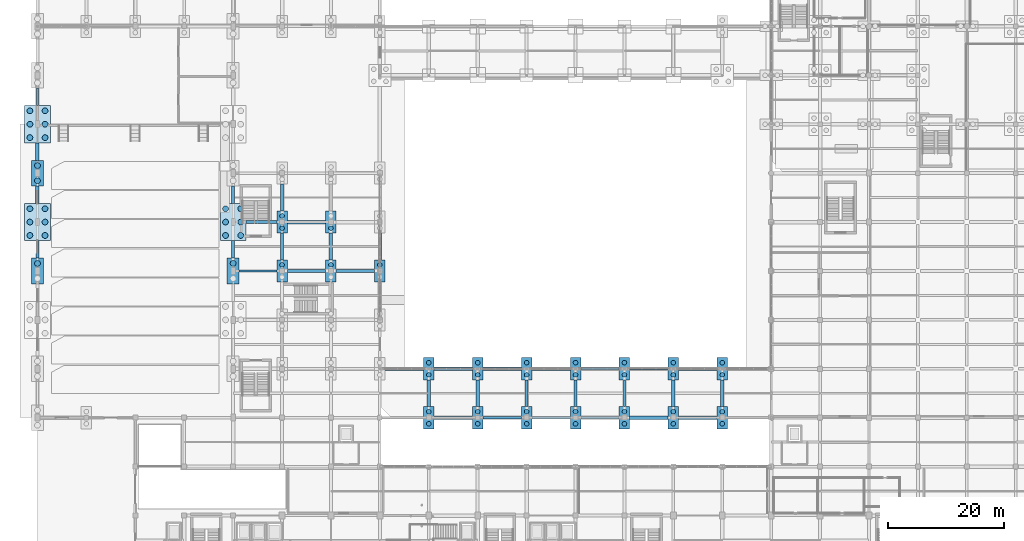
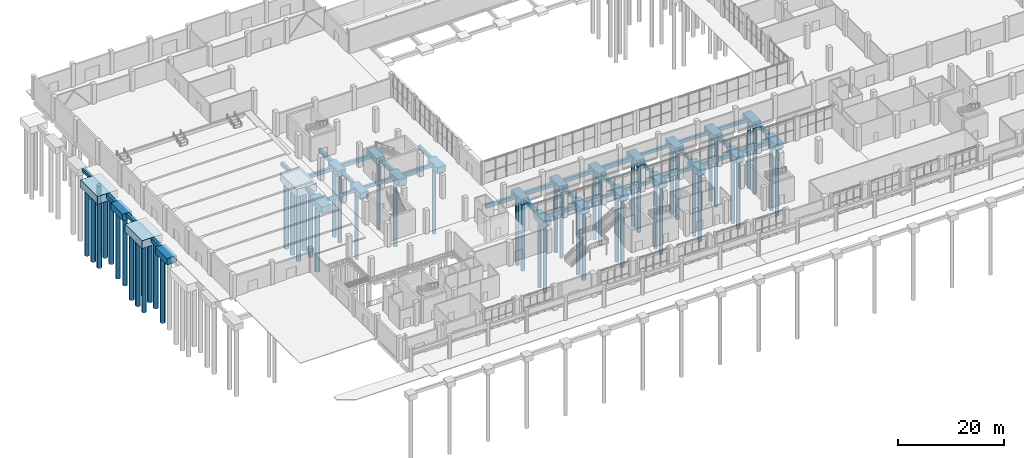
# One storey, part 2 of 82: 60 footings, 56 piles.
"""IFC4 building model written with IfcOpenShell, lengths in metres."""

from ifc_helpers import new_model, si_unit, derived_unit, direction, frame, origin, origin_2d, place, context, subcontext, project, spatial, polyline, rectangle, circle, outline, extrude, material, material_profile, profile_set, type_object, element, save


model = new_model("IFC4")

# Units and contexts
model_context = context("Model", 3, precision=1e-05, world=origin(), true_north=direction((0.0, 1.0)))
body_context = subcontext(model_context, "Body", "Model", "MODEL_VIEW")
ifc_project = project(units=[si_unit("LENGTHUNIT", "METRE"), si_unit("AREAUNIT", "SQUARE_METRE"), si_unit("VOLUMEUNIT", "CUBIC_METRE"), si_unit("PLANEANGLEUNIT", "RADIAN"), si_unit("MASSUNIT", "GRAM", prefix="KILO"), derived_unit("THERMALTRANSMITTANCEUNIT", [(si_unit("POWERUNIT", "WATT"), 1), (si_unit("LENGTHUNIT", "METRE"), -2), (si_unit("THERMODYNAMICTEMPERATUREUNIT", "KELVIN"), -1)])], contexts=[model_context])

# Site, building, storey
site_placement = place(None, origin())
site = spatial("IfcSite", under=ifc_project, at=site_placement, CompositionType="ELEMENT")
building_placement = place(site_placement, origin())
building = spatial("IfcBuilding", under=site, at=building_placement, Name="Barrovel Congress Hotel", CompositionType="ELEMENT")
storey_placement = place(building_placement, origin())
storey = spatial("IfcBuildingStorey", under=building, at=storey_placement, Name="L00", CompositionType="ELEMENT", Elevation=0.0)

# Footings
ifc_material_1 = material(Name="Concrete C40", Category="concrete")
footing_type_1 = type_object("IfcFootingType", Name="CAP-PC-04", PredefinedType="PILE_CAP", material=ifc_material_1)
for number, where, z_axis, x_axis, name in (
    (1, (42.0, 63.0, -6.260009765625), (0.0, 0.0, 1.0), (1.0, 0.0, 0.0), "CAP:L00:42.0:63.0"),
    (2, (42.0, 71.39990234375, -6.260009765625), (0.0, 0.0, 1.0), (1.0, 0.0, 0.0), "CAP:L00:42.0:71.4"),
    (3, (50.39990234375, 63.0, -6.260009765625), (0.0, 0.0, 1.0), (1.0, 0.0, 0.0), "CAP:L00:50.4:63.0"),
    (4, (50.39990234375, 71.39990234375, -6.260009765625), (0.0, 0.0, 1.0), (1.0, 0.0, 0.0), "CAP:L00:50.4:71.4"),
    (5, (58.800048828125, 63.0, -6.260009765625), (0.0, 0.0, 1.0), (1.0, 0.0, 0.0), "CAP:L00:58.8:63.0"),
    (6, (67.199951171875, 37.800048828125, -6.260009765625), (0.0, 0.0, 1.0), (1.0, 0.0, 0.0), "CAP:L00:67.2:37.8"),
    (7, (67.199951171875, 46.199951171875, -6.260009765625), (0.0, 0.0, 1.0), (1.0, 0.0, 0.0), "CAP:L00:67.2:46.2"),
    (8, (75.60009765625, 37.800048828125, -6.260009765625), (0.0, 0.0, 1.0), (1.0, 0.0, 0.0), "CAP:L00:75.6:37.8"),
    (9, (75.60009765625, 46.199951171875, -6.260009765625), (0.0, 0.0, 1.0), (1.0, 0.0, 0.0), "CAP:L00:75.6:46.2"),
    (10, (84.0, 37.800048828125, -6.260009765625), (0.0, 0.0, 1.0), (1.0, 0.0, 0.0), "CAP:L00:84.0:37.8"),
    (11, (84.0, 46.199951171875, -6.260009765625), (0.0, 0.0, 1.0), (1.0, 0.0, 0.0), "CAP:L00:84.0:46.2"),
    (12, (92.39990234375, 37.800048828125, -6.260009765625), (0.0, 0.0, 1.0), (1.0, 0.0, 0.0), "CAP:L00:92.4:37.8"),
    (13, (92.39990234375, 46.199951171875, -6.260009765625), (0.0, 0.0, 1.0), (1.0, 0.0, 0.0), "CAP:L00:92.4:46.2"),
    (14, (100.800048828125, 37.800048828125, -6.260009765625), (0.0, 0.0, 1.0), (1.0, 0.0, 0.0), "CAP:L00:100.8:37.8"),
    (15, (100.800048828125, 46.199951171875, -6.260009765625), (0.0, 0.0, 1.0), (1.0, 0.0, 0.0), "CAP:L00:100.8:46.2"),
    (16, (109.199951171875, 37.800048828125, -6.260009765625), (0.0, 0.0, 1.0), (1.0, 0.0, 0.0), "CAP:L00:109.2:37.8"),
    (17, (109.199951171875, 46.199951171875, -6.260009765625), (0.0, 0.0, 1.0), (1.0, 0.0, 0.0), "CAP:L00:109.2:46.2"),
    (18, (117.60009765625, 37.800048828125, -6.260009765625), (0.0, 0.0, 1.0), (1.0, 0.0, 0.0), "CAP:L00:117.6:37.8"),
    (19, (117.60009765625, 46.199951171875, -6.260009765625), (0.0, 0.0, 1.0), (1.0, 0.0, 0.0), "CAP:L00:117.6:46.2"),
):
    element("IfcFooting", number, at=place(storey_placement, frame(where, z_axis=z_axis, x_axis=x_axis)), inside=storey, type_object=footing_type_1, Name=name, PredefinedType="PILE_CAP", context=body_context, shape_type="SweptSolid", body=[
        extrude(rectangle(XDim=1.800048828125, YDim=3.800048828125, at=origin_2d()), origin(), (0.0, 0.0, 1.0), 1.39990234375),
    ])
footing_type_2 = type_object("IfcFootingType", Name="CAP-PC-06", PredefinedType="PILE_CAP", material=ifc_material_1)
for number, where, z_axis, x_axis, name in (
    (20, (0.0, 63.0, -6.360107421875), (0.0, 0.0, 1.0), (1.0, 0.0, 0.0), "CAP:L00:0.0:63.0"),
    (21, (0.0, 79.800048828125, -6.360107421875), (0.0, 0.0, 1.0), (1.0, 0.0, 0.0), "CAP:L00:0.0:79.8"),
    (22, (33.60009765625, 63.0, -6.360107421875), (0.0, 0.0, 1.0), (1.0, 0.0, 0.0), "CAP:L00:33.6:63.0"),
):
    element("IfcFooting", number, at=place(storey_placement, frame(where, z_axis=z_axis, x_axis=x_axis)), inside=storey, type_object=footing_type_2, Name=name, PredefinedType="PILE_CAP", context=body_context, shape_type="SweptSolid", body=[
        extrude(rectangle(XDim=2.10009765625, YDim=4.39990234375, at=origin_2d()), origin(), (0.0, 0.0, 1.0), 1.5),
    ])
footing_type_3 = type_object("IfcFootingType", Name="CAP-PC-13", PredefinedType="PILE_CAP", material=ifc_material_1)
for number, where, z_axis, x_axis, name in (
    (23, (0.0, 71.39990234375, -6.66015625), (0.0, 0.0, 1.0), (1.0, 0.0, 0.0), "CAP:L00:0.0:71.4"),
    (24, (0.0, 88.199951171875, -6.66015625), (0.0, 0.0, 1.0), (1.0, 0.0, 0.0), "CAP:L00:0.0:88.2"),
    (25, (33.60009765625, 71.39990234375, -6.66015625), (0.0, 0.0, 1.0), (1.0, 0.0, 0.0), "CAP:L00:33.6:71.4"),
):
    element("IfcFooting", number, at=place(storey_placement, frame(where, z_axis=z_axis, x_axis=x_axis)), inside=storey, type_object=footing_type_3, Name=name, PredefinedType="PILE_CAP", context=body_context, shape_type="SweptSolid", body=[
        extrude(rectangle(XDim=4.39990234375, YDim=6.39990234375, at=origin_2d()), origin(), (0.0, 0.0, 1.0), 1.800048828125),
    ])
footing_type_4 = type_object("IfcFootingType", Name="FB-400x700", PredefinedType="FOOTING_BEAM", material=ifc_material_1)
footing_1_placement = place(storey_placement, frame((0.0, 0.0, -5.56005859375)))
element("IfcFooting", 26, at=footing_1_placement, inside=storey, type_object=footing_type_4, Name="FBX:L00:37.8:75.6-84.0", PredefinedType="FOOTING_BEAM", context=body_context, shape_type="SweptSolid", body=[
    extrude(outline(polyline([(76.5, 37.60009765625), (83.10009765625, 37.60009765625), (83.10009765625, 38.0), (76.5, 38.0), (76.5, 37.60009765625)])), origin(), (0.0, 0.0, 1.0), 0.699951171875),
])
footing_2_placement = place(storey_placement, frame((0.0, 0.0, -5.56005859375)))
element("IfcFooting", 27, at=footing_2_placement, inside=storey, type_object=footing_type_4, Name="FBX:L00:46.2:92.4-100.8", PredefinedType="FOOTING_BEAM", context=body_context, shape_type="SweptSolid", body=[
    extrude(outline(polyline([(93.300048828125, 46.0), (99.89990234375, 46.0), (99.89990234375, 46.39990234375), (93.300048828125, 46.39990234375), (93.300048828125, 46.0)])), origin(), (0.0, 0.0, 1.0), 0.699951171875),
])
footing_3_placement = place(storey_placement, frame((0.0, 0.0, -5.56005859375)))
element("IfcFooting", 28, at=footing_3_placement, inside=storey, type_object=footing_type_4, Name="FBX:L00:63.0:33.6-42.0", PredefinedType="FOOTING_BEAM", context=body_context, shape_type="SweptSolid", body=[
    extrude(outline(polyline([(34.64990234375, 62.800048828125), (41.10009765625, 62.800048828125), (41.10009765625, 63.199951171875), (34.64990234375, 63.199951171875), (34.64990234375, 62.800048828125)])), origin(), (0.0, 0.0, 1.0), 0.699951171875),
])
footing_4_placement = place(storey_placement, frame((0.0, 0.0, -5.56005859375)))
element("IfcFooting", 29, at=footing_4_placement, inside=storey, type_object=footing_type_4, Name="FBY:L00:0.0:88.2-96.6", PredefinedType="FOOTING_BEAM", context=body_context, shape_type="SweptSolid", body=[
    extrude(outline(polyline([(-0.199951171875, 91.39990234375), (0.199951171875, 91.39990234375), (0.199951171875, 94.39990234375), (-0.199951171875, 94.39990234375), (-0.199951171875, 91.39990234375)])), origin(), (0.0, 0.0, 1.0), 0.699951171875),
])
footing_5_placement = place(storey_placement, frame((0.0, 0.0, -5.56005859375)))
element("IfcFooting", 30, at=footing_5_placement, inside=storey, type_object=footing_type_4, Name="FBY:L00:100.8:37.8-46.2", PredefinedType="FOOTING_BEAM", context=body_context, shape_type="SweptSolid", body=[
    extrude(outline(polyline([(100.60009765625, 39.699951171875), (101.0, 39.699951171875), (101.0, 44.300048828125), (100.60009765625, 44.300048828125), (100.60009765625, 39.699951171875)])), origin(), (0.0, 0.0, 1.0), 0.699951171875),
])
footing_type_5 = type_object("IfcFootingType", Name="FB-450x750", PredefinedType="FOOTING_BEAM", material=ifc_material_1)
footing_6_placement = place(storey_placement, frame((0.0, 0.0, -5.610107421875)))
element("IfcFooting", 31, at=footing_6_placement, inside=storey, type_object=footing_type_5, Name="FBX:L00:37.8:84.0-92.4", PredefinedType="FOOTING_BEAM", context=body_context, shape_type="SweptSolid", body=[
    extrude(outline(polyline([(84.89990234375, 37.574951171875), (91.5, 37.574951171875), (91.5, 38.02490234375), (84.89990234375, 38.02490234375), (84.89990234375, 37.574951171875)])), origin(), (0.0, 0.0, 1.0), 0.75),
])
footing_7_placement = place(storey_placement, frame((0.0, 0.0, -5.610107421875)))
element("IfcFooting", 32, at=footing_7_placement, inside=storey, type_object=footing_type_5, Name="FBX:L00:46.2:100.8-109.2", PredefinedType="FOOTING_BEAM", context=body_context, shape_type="SweptSolid", body=[
    extrude(outline(polyline([(101.699951171875, 45.97509765625), (108.300048828125, 45.97509765625), (108.300048828125, 46.425048828125), (101.699951171875, 46.425048828125), (101.699951171875, 45.97509765625)])), origin(), (0.0, 0.0, 1.0), 0.75),
])
footing_8_placement = place(storey_placement, frame((0.0, 0.0, -5.610107421875)))
element("IfcFooting", 33, at=footing_8_placement, inside=storey, type_object=footing_type_5, Name="FBX:L00:63.0:42.0-50.4", PredefinedType="FOOTING_BEAM", context=body_context, shape_type="SweptSolid", body=[
    extrude(outline(polyline([(42.89990234375, 62.77490234375), (49.5, 62.77490234375), (49.5, 63.22509765625), (42.89990234375, 63.22509765625), (42.89990234375, 62.77490234375)])), origin(), (0.0, 0.0, 1.0), 0.75),
])
footing_9_placement = place(storey_placement, frame((0.0, 0.0, -5.610107421875)))
element("IfcFooting", 34, at=footing_9_placement, inside=storey, type_object=footing_type_5, Name="FBY:L00:92.4:37.8-46.2", PredefinedType="FOOTING_BEAM", context=body_context, shape_type="SweptSolid", body=[
    extrude(outline(polyline([(92.175048828125, 39.699951171875), (92.625, 39.699951171875), (92.625, 44.300048828125), (92.175048828125, 44.300048828125), (92.175048828125, 39.699951171875)])), origin(), (0.0, 0.0, 1.0), 0.75),
])
footing_type_6 = type_object("IfcFootingType", Name="FB-500x800", PredefinedType="FOOTING_BEAM", material=ifc_material_1)
footing_10_placement = place(storey_placement, frame((0.0, 0.0, -5.659912109375)))
element("IfcFooting", 35, at=footing_10_placement, inside=storey, type_object=footing_type_6, Name="FBX:L00:37.8:92.4-100.8", PredefinedType="FOOTING_BEAM", context=body_context, shape_type="SweptSolid", body=[
    extrude(outline(polyline([(93.300048828125, 37.550048828125), (99.89990234375, 37.550048828125), (99.89990234375, 38.050048828125), (93.300048828125, 38.050048828125), (93.300048828125, 37.550048828125)])), origin(), (0.0, 0.0, 1.0), 0.7998046875),
])
footing_11_placement = place(storey_placement, frame((0.0, 0.0, -5.659912109375)))
element("IfcFooting", 36, at=footing_11_placement, inside=storey, type_object=footing_type_6, Name="FBX:L00:46.2:58.8-67.2", PredefinedType="FOOTING_BEAM", context=body_context, shape_type="SweptSolid", body=[
    extrude(outline(polyline([(59.699951171875, 45.949951171875), (66.300048828125, 45.949951171875), (66.300048828125, 46.449951171875), (59.699951171875, 46.449951171875), (59.699951171875, 45.949951171875)])), origin(), (0.0, 0.0, 1.0), 0.7998046875),
])
footing_12_placement = place(storey_placement, frame((0.0, 0.0, -5.659912109375)))
element("IfcFooting", 37, at=footing_12_placement, inside=storey, type_object=footing_type_6, Name="FBX:L00:46.2:109.2-117.6", PredefinedType="FOOTING_BEAM", context=body_context, shape_type="SweptSolid", body=[
    extrude(outline(polyline([(110.10009765625, 45.949951171875), (116.699951171875, 45.949951171875), (116.699951171875, 46.449951171875), (110.10009765625, 46.449951171875), (110.10009765625, 45.949951171875)])), origin(), (0.0, 0.0, 1.0), 0.7998046875),
])
footing_13_placement = place(storey_placement, frame((0.0, 0.0, -5.659912109375)))
element("IfcFooting", 38, at=footing_13_placement, inside=storey, type_object=footing_type_6, Name="FBX:L00:63.0:50.4-58.8", PredefinedType="FOOTING_BEAM", context=body_context, shape_type="SweptSolid", body=[
    extrude(outline(polyline([(51.300048828125, 62.75), (57.89990234375, 62.75), (57.89990234375, 63.25), (51.300048828125, 63.25), (51.300048828125, 62.75)])), origin(), (0.0, 0.0, 1.0), 0.7998046875),
])
footing_14_placement = place(storey_placement, frame((0.0, 0.0, -5.659912109375)))
element("IfcFooting", 39, at=footing_14_placement, inside=storey, type_object=footing_type_6, Name="FBY:L00:33.6:63.0-71.4", PredefinedType="FOOTING_BEAM", context=body_context, shape_type="SweptSolid", body=[
    extrude(outline(polyline([(33.35009765625, 65.199951171875), (33.85009765625, 65.199951171875), (33.85009765625, 68.199951171875), (33.35009765625, 68.199951171875), (33.35009765625, 65.199951171875)])), origin(), (0.0, 0.0, 1.0), 0.7998046875),
])
footing_15_placement = place(storey_placement, frame((0.0, 0.0, -5.659912109375)))
element("IfcFooting", 40, at=footing_15_placement, inside=storey, type_object=footing_type_6, Name="FBY:L00:42.0:63.0-71.4", PredefinedType="FOOTING_BEAM", context=body_context, shape_type="SweptSolid", body=[
    extrude(outline(polyline([(41.75, 64.89990234375), (42.25, 64.89990234375), (42.25, 69.5), (41.75, 69.5), (41.75, 64.89990234375)])), origin(), (0.0, 0.0, 1.0), 0.7998046875),
])
footing_16_placement = place(storey_placement, frame((0.0, 0.0, -5.659912109375)))
element("IfcFooting", 41, at=footing_16_placement, inside=storey, type_object=footing_type_6, Name="FBY:L00:58.8:63.0-71.4", PredefinedType="FOOTING_BEAM", context=body_context, shape_type="SweptSolid", body=[
    extrude(outline(polyline([(58.550048828125, 64.89990234375), (59.050048828125, 64.89990234375), (59.050048828125, 69.5), (58.550048828125, 69.5), (58.550048828125, 64.89990234375)])), origin(), (0.0, 0.0, 1.0), 0.7998046875),
])
footing_17_placement = place(storey_placement, frame((0.0, 0.0, -5.659912109375)))
element("IfcFooting", 42, at=footing_17_placement, inside=storey, type_object=footing_type_6, Name="FBY:L00:84.0:37.8-46.2", PredefinedType="FOOTING_BEAM", context=body_context, shape_type="SweptSolid", body=[
    extrude(outline(polyline([(83.75, 39.699951171875), (84.25, 39.699951171875), (84.25, 44.300048828125), (83.75, 44.300048828125), (83.75, 39.699951171875)])), origin(), (0.0, 0.0, 1.0), 0.7998046875),
])
footing_type_7 = type_object("IfcFootingType", Name="FB-550x850", PredefinedType="FOOTING_BEAM", material=ifc_material_1)
footing_18_placement = place(storey_placement, frame((0.0, 0.0, -5.7099609375)))
element("IfcFooting", 43, at=footing_18_placement, inside=storey, type_object=footing_type_7, Name="FBX:L00:37.8:100.8-109.2", PredefinedType="FOOTING_BEAM", context=body_context, shape_type="SweptSolid", body=[
    extrude(outline(polyline([(101.699951171875, 37.52490234375), (108.300048828125, 37.52490234375), (108.300048828125, 38.074951171875), (101.699951171875, 38.074951171875), (101.699951171875, 37.52490234375)])), origin(), (0.0, 0.0, 1.0), 0.849853515625),
])
footing_19_placement = place(storey_placement, frame((0.0, 0.0, -5.7099609375)))
element("IfcFooting", 44, at=footing_19_placement, inside=storey, type_object=footing_type_7, Name="FBX:L00:46.2:67.2-75.6", PredefinedType="FOOTING_BEAM", context=body_context, shape_type="SweptSolid", body=[
    extrude(outline(polyline([(68.10009765625, 45.925048828125), (74.699951171875, 45.925048828125), (74.699951171875, 46.47509765625), (68.10009765625, 46.47509765625), (68.10009765625, 45.925048828125)])), origin(), (0.0, 0.0, 1.0), 0.849853515625),
])
footing_20_placement = place(storey_placement, frame((0.0, 0.0, -5.7099609375)))
element("IfcFooting", 45, at=footing_20_placement, inside=storey, type_object=footing_type_7, Name="FBX:L00:71.4:33.6-42.0", PredefinedType="FOOTING_BEAM", context=body_context, shape_type="SweptSolid", body=[
    extrude(outline(polyline([(35.800048828125, 71.125), (41.10009765625, 71.125), (41.10009765625, 71.675048828125), (35.800048828125, 71.675048828125), (35.800048828125, 71.125)])), origin(), (0.0, 0.0, 1.0), 0.849853515625),
])
footing_21_placement = place(storey_placement, frame((0.0, 0.0, -5.7099609375)))
element("IfcFooting", 46, at=footing_21_placement, inside=storey, type_object=footing_type_7, Name="FBY:L00:0.0:63.0-71.4", PredefinedType="FOOTING_BEAM", context=body_context, shape_type="SweptSolid", body=[
    extrude(outline(polyline([(-0.27490234375, 65.199951171875), (0.27490234375, 65.199951171875), (0.27490234375, 68.199951171875), (-0.27490234375, 68.199951171875), (-0.27490234375, 65.199951171875)])), origin(), (0.0, 0.0, 1.0), 0.849853515625),
])
footing_22_placement = place(storey_placement, frame((0.0, 0.0, -5.7099609375)))
element("IfcFooting", 47, at=footing_22_placement, inside=storey, type_object=footing_type_7, Name="FBY:L00:33.6:71.4-79.8", PredefinedType="FOOTING_BEAM", context=body_context, shape_type="SweptSolid", body=[
    extrude(outline(polyline([(33.324951171875, 74.60009765625), (33.875, 74.60009765625), (33.875, 77.60009765625), (33.324951171875, 77.60009765625), (33.324951171875, 74.60009765625)])), origin(), (0.0, 0.0, 1.0), 0.849853515625),
])
footing_23_placement = place(storey_placement, frame((0.0, 0.0, -5.7099609375)))
element("IfcFooting", 48, at=footing_23_placement, inside=storey, type_object=footing_type_7, Name="FBY:L00:42.0:71.4-79.8", PredefinedType="FOOTING_BEAM", context=body_context, shape_type="SweptSolid", body=[
    extrude(outline(polyline([(41.72509765625, 73.300048828125), (42.27490234375, 73.300048828125), (42.27490234375, 77.89990234375), (41.72509765625, 77.89990234375), (41.72509765625, 73.300048828125)])), origin(), (0.0, 0.0, 1.0), 0.849853515625),
])
footing_24_placement = place(storey_placement, frame((0.0, 0.0, -5.7099609375)))
element("IfcFooting", 49, at=footing_24_placement, inside=storey, type_object=footing_type_7, Name="FBY:L00:75.6:37.8-46.2", PredefinedType="FOOTING_BEAM", context=body_context, shape_type="SweptSolid", body=[
    extrude(outline(polyline([(75.324951171875, 39.699951171875), (75.875, 39.699951171875), (75.875, 44.300048828125), (75.324951171875, 44.300048828125), (75.324951171875, 39.699951171875)])), origin(), (0.0, 0.0, 1.0), 0.849853515625),
])
footing_type_8 = type_object("IfcFootingType", Name="FB-600x850", PredefinedType="FOOTING_BEAM", material=ifc_material_1)
footing_25_placement = place(storey_placement, frame((0.0, 0.0, -5.7099609375)))
element("IfcFooting", 50, at=footing_25_placement, inside=storey, type_object=footing_type_8, Name="FBX:L00:37.8:109.2-117.6", PredefinedType="FOOTING_BEAM", context=body_context, shape_type="SweptSolid", body=[
    extrude(outline(polyline([(110.10009765625, 37.5), (116.699951171875, 37.5), (116.699951171875, 38.10009765625), (110.10009765625, 38.10009765625), (110.10009765625, 37.5)])), origin(), (0.0, 0.0, 1.0), 0.849853515625),
])
footing_26_placement = place(storey_placement, frame((0.0, 0.0, -5.7099609375)))
element("IfcFooting", 51, at=footing_26_placement, inside=storey, type_object=footing_type_8, Name="FBX:L00:46.2:75.6-84.0", PredefinedType="FOOTING_BEAM", context=body_context, shape_type="SweptSolid", body=[
    extrude(outline(polyline([(76.5, 45.89990234375), (83.10009765625, 45.89990234375), (83.10009765625, 46.5), (76.5, 46.5), (76.5, 45.89990234375)])), origin(), (0.0, 0.0, 1.0), 0.849853515625),
])
footing_27_placement = place(storey_placement, frame((0.0, 0.0, -5.7099609375)))
element("IfcFooting", 52, at=footing_27_placement, inside=storey, type_object=footing_type_8, Name="FBX:L00:71.4:42.0-50.4", PredefinedType="FOOTING_BEAM", context=body_context, shape_type="SweptSolid", body=[
    extrude(outline(polyline([(42.89990234375, 71.10009765625), (49.5, 71.10009765625), (49.5, 71.699951171875), (42.89990234375, 71.699951171875), (42.89990234375, 71.10009765625)])), origin(), (0.0, 0.0, 1.0), 0.849853515625),
])
footing_28_placement = place(storey_placement, frame((0.0, 0.0, -5.7099609375)))
element("IfcFooting", 53, at=footing_28_placement, inside=storey, type_object=footing_type_8, Name="FBY:L00:0.0:71.4-79.8", PredefinedType="FOOTING_BEAM", context=body_context, shape_type="SweptSolid", body=[
    extrude(outline(polyline([(-0.300048828125, 74.60009765625), (0.300048828125, 74.60009765625), (0.300048828125, 77.60009765625), (-0.300048828125, 77.60009765625), (-0.300048828125, 74.60009765625)])), origin(), (0.0, 0.0, 1.0), 0.849853515625),
])
footing_29_placement = place(storey_placement, frame((0.0, 0.0, -5.7099609375)))
element("IfcFooting", 54, at=footing_29_placement, inside=storey, type_object=footing_type_8, Name="FBY:L00:67.2:37.8-46.2", PredefinedType="FOOTING_BEAM", context=body_context, shape_type="SweptSolid", body=[
    extrude(outline(polyline([(66.89990234375, 39.699951171875), (67.5, 39.699951171875), (67.5, 44.300048828125), (66.89990234375, 44.300048828125), (66.89990234375, 39.699951171875)])), origin(), (0.0, 0.0, 1.0), 0.849853515625),
])
footing_30_placement = place(storey_placement, frame((0.0, 0.0, -5.7099609375)))
element("IfcFooting", 55, at=footing_30_placement, inside=storey, type_object=footing_type_8, Name="FBY:L00:117.6:37.8-46.2", PredefinedType="FOOTING_BEAM", context=body_context, shape_type="SweptSolid", body=[
    extrude(outline(polyline([(117.300048828125, 39.699951171875), (117.89990234375, 39.699951171875), (117.89990234375, 44.300048828125), (117.300048828125, 44.300048828125), (117.300048828125, 39.699951171875)])), origin(), (0.0, 0.0, 1.0), 0.849853515625),
])
footing_type_9 = type_object("IfcFootingType", Name="FB-600x950", PredefinedType="FOOTING_BEAM", material=ifc_material_1)
footing_31_placement = place(storey_placement, frame((0.0, 0.0, -5.81005859375)))
element("IfcFooting", 56, at=footing_31_placement, inside=storey, type_object=footing_type_9, Name="FBX:L00:37.8:67.2-75.6", PredefinedType="FOOTING_BEAM", context=body_context, shape_type="SweptSolid", body=[
    extrude(outline(polyline([(68.10009765625, 37.5), (74.699951171875, 37.5), (74.699951171875, 38.10009765625), (68.10009765625, 38.10009765625), (68.10009765625, 37.5)])), origin(), (0.0, 0.0, 1.0), 0.949951171875),
])
footing_32_placement = place(storey_placement, frame((0.0, 0.0, -5.81005859375)))
element("IfcFooting", 57, at=footing_32_placement, inside=storey, type_object=footing_type_9, Name="FBX:L00:46.2:84.0-92.4", PredefinedType="FOOTING_BEAM", context=body_context, shape_type="SweptSolid", body=[
    extrude(outline(polyline([(84.89990234375, 45.89990234375), (91.5, 45.89990234375), (91.5, 46.5), (84.89990234375, 46.5), (84.89990234375, 45.89990234375)])), origin(), (0.0, 0.0, 1.0), 0.949951171875),
])
footing_33_placement = place(storey_placement, frame((0.0, 0.0, -5.81005859375)))
element("IfcFooting", 58, at=footing_33_placement, inside=storey, type_object=footing_type_9, Name="FBY:L00:0.0:79.8-88.2", PredefinedType="FOOTING_BEAM", context=body_context, shape_type="SweptSolid", body=[
    extrude(outline(polyline([(-0.300048828125, 82.0), (0.300048828125, 82.0), (0.300048828125, 85.0), (-0.300048828125, 85.0), (-0.300048828125, 82.0)])), origin(), (0.0, 0.0, 1.0), 0.949951171875),
])
footing_34_placement = place(storey_placement, frame((0.0, 0.0, -5.81005859375)))
element("IfcFooting", 59, at=footing_34_placement, inside=storey, type_object=footing_type_9, Name="FBY:L00:50.4:63.0-71.4", PredefinedType="FOOTING_BEAM", context=body_context, shape_type="SweptSolid", body=[
    extrude(outline(polyline([(50.10009765625, 64.89990234375), (50.699951171875, 64.89990234375), (50.699951171875, 69.5), (50.10009765625, 69.5), (50.10009765625, 64.89990234375)])), origin(), (0.0, 0.0, 1.0), 0.949951171875),
])
footing_35_placement = place(storey_placement, frame((0.0, 0.0, -5.81005859375)))
element("IfcFooting", 60, at=footing_35_placement, inside=storey, type_object=footing_type_9, Name="FBY:L00:109.2:37.8-46.2", PredefinedType="FOOTING_BEAM", context=body_context, shape_type="SweptSolid", body=[
    extrude(outline(polyline([(108.89990234375, 39.699951171875), (109.5, 39.699951171875), (109.5, 44.300048828125), (108.89990234375, 44.300048828125), (108.89990234375, 39.699951171875)])), origin(), (0.0, 0.0, 1.0), 0.949951171875),
])

# Piles
ifc_material_2 = material(Name="Concrete C35", Category="concrete")
ifc_material_profile_1 = material_profile(ifc_material_2, circle(Radius=0.5, at=origin_2d()), Name="BP-D1000")
ifc_profile_set_1 = profile_set([ifc_material_profile_1], Name="Concrete C35")
pile_type_1 = type_object("IfcPileType", Name="PILE-BP-D1000", PredefinedType="BORED", material=ifc_profile_set_1)
pile_1_placement = place(storey_placement, frame((0.0, 64.300048828125, -6.360107421875), z_axis=(0.0, 0.0, -1.0), x_axis=(1.0, 0.0, 0.0)))
element("IfcPile", 61, at=pile_1_placement, inside=storey, type_object=pile_type_1, Name="PILE:L00:0.0:63.0:2", PredefinedType="BORED", context=body_context, shape_type="SweptSolid", body=[
    extrude(circle(Radius=0.5, at=origin_2d()), origin(), (0.0, 0.0, 1.0), 15.5400390625),
])
for number, where, z_axis, x_axis, name in (
    (62, (-1.300048828125, 69.10009765625, -6.659912109375), (0.0, 0.0, -1.0), (1.0, 0.0, 0.0), "PILE:L00:0.0:71.4:1"),
    (63, (1.300048828125, 69.10009765625, -6.659912109375), (0.0, 0.0, -1.0), (1.0, 0.0, 0.0), "PILE:L00:0.0:71.4:2"),
    (64, (-1.300048828125, 71.39990234375, -6.659912109375), (0.0, 0.0, -1.0), (1.0, 0.0, 0.0), "PILE:L00:0.0:71.4:3"),
    (65, (1.300048828125, 71.39990234375, -6.659912109375), (0.0, 0.0, -1.0), (1.0, 0.0, 0.0), "PILE:L00:0.0:71.4:4"),
    (66, (-1.300048828125, 73.699951171875, -6.659912109375), (0.0, 0.0, -1.0), (1.0, 0.0, 0.0), "PILE:L00:0.0:71.4:5"),
    (67, (1.300048828125, 73.699951171875, -6.659912109375), (0.0, 0.0, -1.0), (1.0, 0.0, 0.0), "PILE:L00:0.0:71.4:6"),
):
    element("IfcPile", number, at=place(storey_placement, frame(where, z_axis=z_axis, x_axis=x_axis)), inside=storey, type_object=pile_type_1, Name=name, PredefinedType="BORED", context=body_context, shape_type="SweptSolid", body=[
        extrude(circle(Radius=0.5, at=origin_2d()), origin(), (0.0, 0.0, 1.0), 15.239990234375),
    ])
for number, where, z_axis, x_axis, name in (
    (68, (0.0, 78.5, -6.360107421875), (0.0, 0.0, -1.0), (1.0, 0.0, 0.0), "PILE:L00:0.0:79.8:1"),
    (69, (0.0, 81.10009765625, -6.360107421875), (0.0, 0.0, -1.0), (1.0, 0.0, 0.0), "PILE:L00:0.0:79.8:2"),
):
    element("IfcPile", number, at=place(storey_placement, frame(where, z_axis=z_axis, x_axis=x_axis)), inside=storey, type_object=pile_type_1, Name=name, PredefinedType="BORED", context=body_context, shape_type="SweptSolid", body=[
        extrude(circle(Radius=0.5, at=origin_2d()), origin(), (0.0, 0.0, 1.0), 15.5400390625),
    ])
for number, where, z_axis, x_axis, name in (
    (70, (-1.300048828125, 85.89990234375, -6.659912109375), (0.0, 0.0, -1.0), (1.0, 0.0, 0.0), "PILE:L00:0.0:88.2:1"),
    (71, (1.300048828125, 85.89990234375, -6.659912109375), (0.0, 0.0, -1.0), (1.0, 0.0, 0.0), "PILE:L00:0.0:88.2:2"),
    (72, (-1.300048828125, 88.199951171875, -6.659912109375), (0.0, 0.0, -1.0), (1.0, 0.0, 0.0), "PILE:L00:0.0:88.2:3"),
    (73, (1.300048828125, 88.199951171875, -6.659912109375), (0.0, 0.0, -1.0), (1.0, 0.0, 0.0), "PILE:L00:0.0:88.2:4"),
    (74, (-1.300048828125, 90.5, -6.659912109375), (0.0, 0.0, -1.0), (1.0, 0.0, 0.0), "PILE:L00:0.0:88.2:5"),
    (75, (1.300048828125, 90.5, -6.659912109375), (0.0, 0.0, -1.0), (1.0, 0.0, 0.0), "PILE:L00:0.0:88.2:6"),
):
    element("IfcPile", number, at=place(storey_placement, frame(where, z_axis=z_axis, x_axis=x_axis)), inside=storey, type_object=pile_type_1, Name=name, PredefinedType="BORED", context=body_context, shape_type="SweptSolid", body=[
        extrude(circle(Radius=0.5, at=origin_2d()), origin(), (0.0, 0.0, 1.0), 15.239990234375),
    ])
pile_2_placement = place(storey_placement, frame((33.60009765625, 64.300048828125, -6.360107421875), z_axis=(0.0, 0.0, -1.0), x_axis=(1.0, 0.0, 0.0)))
element("IfcPile", 76, at=pile_2_placement, inside=storey, type_object=pile_type_1, Name="PILE:L00:33.6:63.0:2", PredefinedType="BORED", context=body_context, shape_type="SweptSolid", body=[
    extrude(circle(Radius=0.5, at=origin_2d()), origin(), (0.0, 0.0, 1.0), 15.5400390625),
])
for number, where, z_axis, x_axis, name in (
    (77, (32.300048828125, 69.10009765625, -6.659912109375), (0.0, 0.0, -1.0), (1.0, 0.0, 0.0), "PILE:L00:33.6:71.4:1"),
    (78, (34.89990234375, 69.10009765625, -6.659912109375), (0.0, 0.0, -1.0), (1.0, 0.0, 0.0), "PILE:L00:33.6:71.4:2"),
    (79, (32.300048828125, 71.39990234375, -6.659912109375), (0.0, 0.0, -1.0), (1.0, 0.0, 0.0), "PILE:L00:33.6:71.4:3"),
    (80, (34.89990234375, 71.39990234375, -6.659912109375), (0.0, 0.0, -1.0), (1.0, 0.0, 0.0), "PILE:L00:33.6:71.4:4"),
    (81, (32.300048828125, 73.699951171875, -6.659912109375), (0.0, 0.0, -1.0), (1.0, 0.0, 0.0), "PILE:L00:33.6:71.4:5"),
    (82, (34.89990234375, 73.699951171875, -6.659912109375), (0.0, 0.0, -1.0), (1.0, 0.0, 0.0), "PILE:L00:33.6:71.4:6"),
):
    element("IfcPile", number, at=place(storey_placement, frame(where, z_axis=z_axis, x_axis=x_axis)), inside=storey, type_object=pile_type_1, Name=name, PredefinedType="BORED", context=body_context, shape_type="SweptSolid", body=[
        extrude(circle(Radius=0.5, at=origin_2d()), origin(), (0.0, 0.0, 1.0), 15.239990234375),
    ])
ifc_material_profile_2 = material_profile(ifc_material_2, circle(Radius=0.39990234375, at=origin_2d()), Name="BP-D800")
ifc_profile_set_2 = profile_set([ifc_material_profile_2], Name="Concrete C35")
pile_type_2 = type_object("IfcPileType", Name="PILE-BP-D800", PredefinedType="BORED", material=ifc_profile_set_2)
for number, where, z_axis, x_axis, name in (
    (83, (42.0, 64.050048828125, -6.260009765625), (0.0, 0.0, -1.0), (1.0, 0.0, 0.0), "PILE:L00:42.0:63.0:2"),
    (84, (42.0, 70.35009765625, -6.260009765625), (0.0, 0.0, -1.0), (1.0, 0.0, 0.0), "PILE:L00:42.0:71.4:1"),
    (85, (42.0, 72.449951171875, -6.260009765625), (0.0, 0.0, -1.0), (1.0, 0.0, 0.0), "PILE:L00:42.0:71.4:2"),
    (86, (50.39990234375, 64.050048828125, -6.260009765625), (0.0, 0.0, -1.0), (1.0, 0.0, 0.0), "PILE:L00:50.4:63.0:2"),
    (87, (50.39990234375, 70.35009765625, -6.260009765625), (0.0, 0.0, -1.0), (1.0, 0.0, 0.0), "PILE:L00:50.4:71.4:1"),
    (88, (58.800048828125, 64.050048828125, -6.260009765625), (0.0, 0.0, -1.0), (1.0, 0.0, 0.0), "PILE:L00:58.8:63.0:2"),
    (89, (67.199951171875, 36.75, -6.260009765625), (0.0, 0.0, -1.0), (1.0, 0.0, 0.0), "PILE:L00:67.2:37.8:1"),
    (90, (67.199951171875, 38.85009765625, -6.260009765625), (0.0, 0.0, -1.0), (1.0, 0.0, 0.0), "PILE:L00:67.2:37.8:2"),
    (91, (67.199951171875, 45.14990234375, -6.260009765625), (0.0, 0.0, -1.0), (1.0, 0.0, 0.0), "PILE:L00:67.2:46.2:1"),
    (92, (67.199951171875, 47.25, -6.260009765625), (0.0, 0.0, -1.0), (1.0, 0.0, 0.0), "PILE:L00:67.2:46.2:2"),
    (93, (75.60009765625, 36.75, -6.260009765625), (0.0, 0.0, -1.0), (1.0, 0.0, 0.0), "PILE:L00:75.6:37.8:1"),
    (94, (75.60009765625, 38.85009765625, -6.260009765625), (0.0, 0.0, -1.0), (1.0, 0.0, 0.0), "PILE:L00:75.6:37.8:2"),
    (95, (75.60009765625, 45.14990234375, -6.260009765625), (0.0, 0.0, -1.0), (1.0, 0.0, 0.0), "PILE:L00:75.6:46.2:1"),
    (96, (75.60009765625, 47.25, -6.260009765625), (0.0, 0.0, -1.0), (1.0, 0.0, 0.0), "PILE:L00:75.6:46.2:2"),
    (97, (84.0, 36.75, -6.260009765625), (0.0, 0.0, -1.0), (1.0, 0.0, 0.0), "PILE:L00:84.0:37.8:1"),
    (98, (84.0, 38.85009765625, -6.260009765625), (0.0, 0.0, -1.0), (1.0, 0.0, 0.0), "PILE:L00:84.0:37.8:2"),
    (99, (84.0, 45.14990234375, -6.260009765625), (0.0, 0.0, -1.0), (1.0, 0.0, 0.0), "PILE:L00:84.0:46.2:1"),
    (100, (84.0, 47.25, -6.260009765625), (0.0, 0.0, -1.0), (1.0, 0.0, 0.0), "PILE:L00:84.0:46.2:2"),
    (101, (92.39990234375, 36.75, -6.260009765625), (0.0, 0.0, -1.0), (1.0, 0.0, 0.0), "PILE:L00:92.4:37.8:1"),
    (102, (92.39990234375, 38.85009765625, -6.260009765625), (0.0, 0.0, -1.0), (1.0, 0.0, 0.0), "PILE:L00:92.4:37.8:2"),
    (103, (92.39990234375, 45.14990234375, -6.260009765625), (0.0, 0.0, -1.0), (1.0, 0.0, 0.0), "PILE:L00:92.4:46.2:1"),
    (104, (92.39990234375, 47.25, -6.260009765625), (0.0, 0.0, -1.0), (1.0, 0.0, 0.0), "PILE:L00:92.4:46.2:2"),
    (105, (100.800048828125, 36.75, -6.260009765625), (0.0, 0.0, -1.0), (1.0, 0.0, 0.0), "PILE:L00:100.8:37.8:1"),
    (106, (100.800048828125, 38.85009765625, -6.260009765625), (0.0, 0.0, -1.0), (1.0, 0.0, 0.0), "PILE:L00:100.8:37.8:2"),
    (107, (100.800048828125, 45.14990234375, -6.260009765625), (0.0, 0.0, -1.0), (1.0, 0.0, 0.0), "PILE:L00:100.8:46.2:1"),
    (108, (100.800048828125, 47.25, -6.260009765625), (0.0, 0.0, -1.0), (1.0, 0.0, 0.0), "PILE:L00:100.8:46.2:2"),
    (109, (109.199951171875, 36.75, -6.260009765625), (0.0, 0.0, -1.0), (1.0, 0.0, 0.0), "PILE:L00:109.2:37.8:1"),
    (110, (109.199951171875, 38.85009765625, -6.260009765625), (0.0, 0.0, -1.0), (1.0, 0.0, 0.0), "PILE:L00:109.2:37.8:2"),
    (111, (109.199951171875, 45.14990234375, -6.260009765625), (0.0, 0.0, -1.0), (1.0, 0.0, 0.0), "PILE:L00:109.2:46.2:1"),
    (112, (109.199951171875, 47.25, -6.260009765625), (0.0, 0.0, -1.0), (1.0, 0.0, 0.0), "PILE:L00:109.2:46.2:2"),
    (113, (117.60009765625, 36.75, -6.260009765625), (0.0, 0.0, -1.0), (1.0, 0.0, 0.0), "PILE:L00:117.6:37.8:1"),
    (114, (117.60009765625, 38.85009765625, -6.260009765625), (0.0, 0.0, -1.0), (1.0, 0.0, 0.0), "PILE:L00:117.6:37.8:2"),
    (115, (117.60009765625, 45.14990234375, -6.260009765625), (0.0, 0.0, -1.0), (1.0, 0.0, 0.0), "PILE:L00:117.6:46.2:1"),
    (116, (117.60009765625, 47.25, -6.260009765625), (0.0, 0.0, -1.0), (1.0, 0.0, 0.0), "PILE:L00:117.6:46.2:2"),
):
    element("IfcPile", number, at=place(storey_placement, frame(where, z_axis=z_axis, x_axis=x_axis)), inside=storey, type_object=pile_type_2, Name=name, PredefinedType="BORED", context=body_context, shape_type="SweptSolid", body=[
        extrude(circle(Radius=0.39990234375, at=origin_2d()), origin(), (0.0, 0.0, 1.0), 15.639892578125),
    ])

save(model, "model.ifc")
